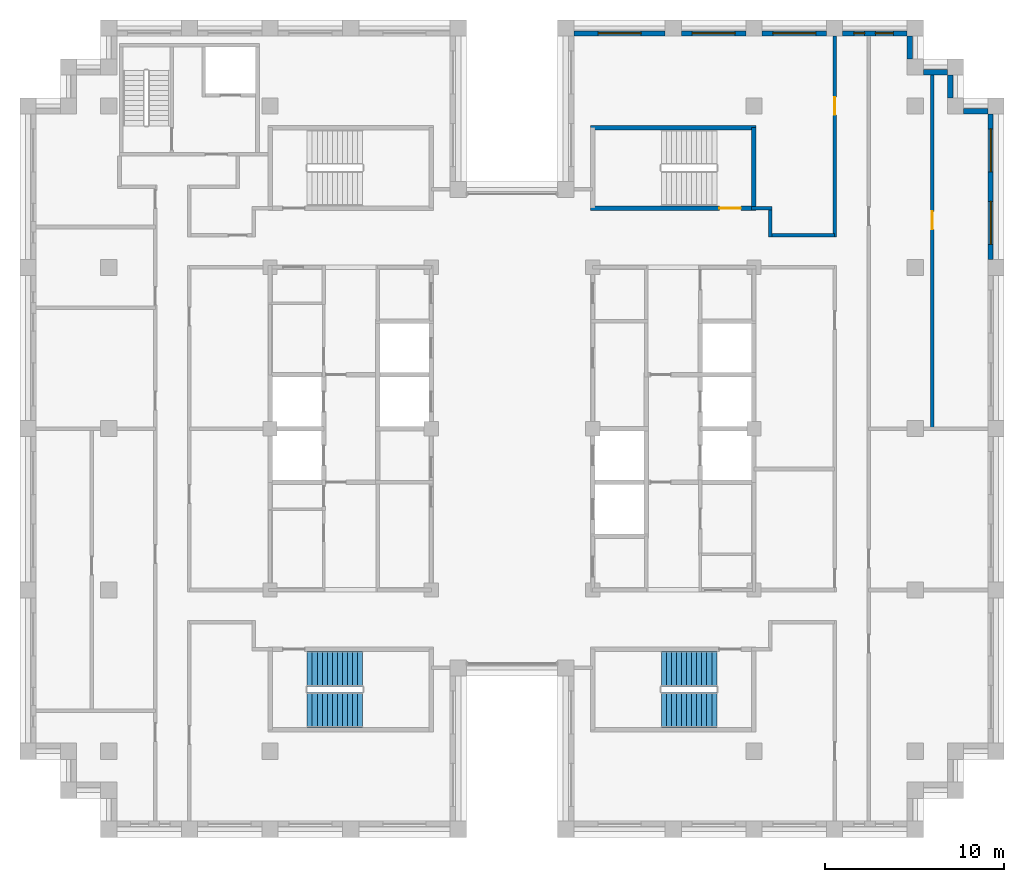
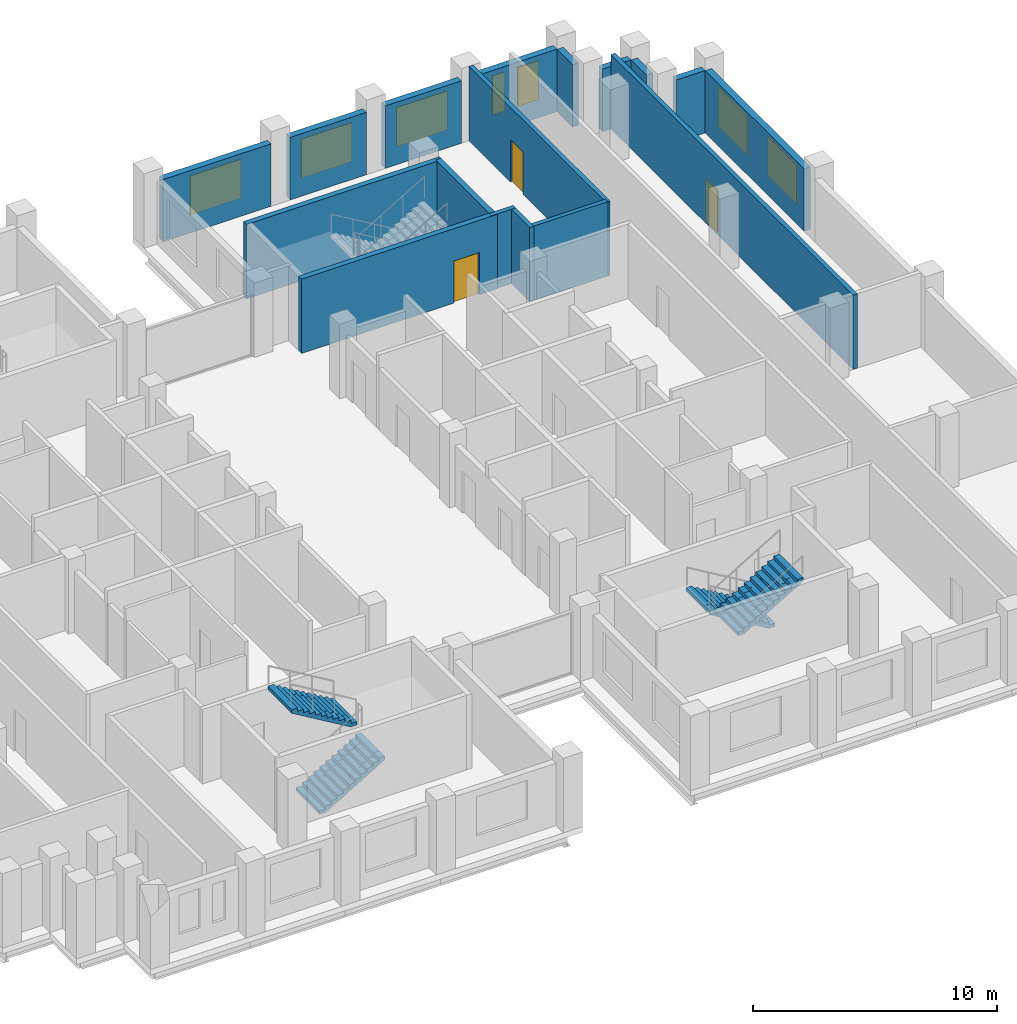
# One storey, part 11 of 13: 17 walls, 7 windows, 4 stair flights, 3 doors, 10 openings, 2 elements without a shape of their own.
"""IFC4 building model written with IfcOpenShell, lengths in metres."""

from ifc_helpers import new_model, si_unit, direction, frame, frame_2d, origin, place, context, subcontext, project, spatial, polyline, rectangle, outline, extrude, material, layer, layer_set, type_object, element, fill, aggregate, save


model = new_model("IFC4")

# Units and contexts
model_context = context("Model", 3, precision=1e-05, world=origin(), true_north=direction((0.0, 1.0)))
body_context = subcontext(model_context, "Body", "Model", "MODEL_VIEW")
ifc_project = project(units=[si_unit("LENGTHUNIT", "METRE"), si_unit("AREAUNIT", "SQUARE_METRE"), si_unit("VOLUMEUNIT", "CUBIC_METRE"), si_unit("PLANEANGLEUNIT", "RADIAN"), si_unit("MASSUNIT", "GRAM", prefix="KILO")], contexts=[model_context])

# Site, building, storey
site_placement = place(None, origin())
site = spatial("IfcSite", under=ifc_project, at=site_placement, CompositionType="ELEMENT")
building_placement = place(site_placement, origin())
building = spatial("IfcBuilding", under=site, at=building_placement, Name="Corbelhall Arena Tower", CompositionType="ELEMENT")
storey_placement = place(building_placement, frame((0.0, 0.0, 266.0)))
storey = spatial("IfcBuildingStorey", under=building, at=storey_placement, Name="L57", CompositionType="ELEMENT", Elevation=266.0)

# Wall, openings, windows
ifc_material_1 = material(Name="Precast concrete C40/50 with granite facing", Category="masonry")
ifc_layer_1 = layer(ifc_material_1, 0.300048828125)
ifc_layer_set_1 = layer_set([ifc_layer_1], Name="EV-IW1 Infill panel 300")
wall_type_1 = type_object("IfcWallType", Name="EV-IW1 Infill panel 300", PredefinedType="SOLIDWALL", material=ifc_layer_set_1)
wall_1_placement = place(storey_placement, frame((26.699951171875, 9.449951171875, 0.0), z_axis=(0.0, 0.0, 1.0), x_axis=(0.0, 1.0, 0.0)))
wall_1 = element("IfcWall", 1, at=wall_1_placement, inside=storey, type_object=wall_type_1, Name="Infill panel IW1", PredefinedType="SOLIDWALL", context=body_context, shape_type="SweptSolid", body=[
    extrude(rectangle(XDim=8.10009765625, YDim=0.300048828125, at=frame_2d((4.050048828125, 0.0))), origin(), (0.0, 0.0, 1.0), 3.1201171875),
])
opening_1_placement = place(wall_1_placement, frame((0.824951171875, 0.0, 0.800048828125)))
opening_1 = element("IfcOpeningElement", 2, at=opening_1_placement, cuts=wall_1, Name="Opening WN1", PredefinedType="OPENING", context=body_context, shape_type="SweptSolid", body=[
    extrude(rectangle(XDim=2.39990234375, YDim=1.949951171875, at=frame_2d((1.199951171875, 0.97509765625))), frame((0.0, 0.14990234375, 0.0), z_axis=(0.0, -1.0, 0.0), x_axis=(1.0, 0.0, 0.0)), (0.0, 0.0, 1.0), 0.300048828125),
])
opening_2_placement = place(wall_1_placement, frame((4.875, 0.0, 0.800048828125)))
opening_2 = element("IfcOpeningElement", 3, at=opening_2_placement, cuts=wall_1, Name="Opening WN1", PredefinedType="OPENING", context=body_context, shape_type="SweptSolid", body=[
    extrude(rectangle(XDim=2.39990234375, YDim=1.949951171875, at=frame_2d((1.199951171875, 0.97509765625))), frame((0.0, 0.14990234375, 0.0), z_axis=(0.0, -1.0, 0.0), x_axis=(1.0, 0.0, 0.0)), (0.0, 0.0, 1.0), 0.300048828125),
])
ifc_material_2 = material(Name="Aluminium black anodised", Category="aluminium")
window_type_1 = type_object("IfcWindowType", Name="EV-WN1 Office window", PartitioningType="SINGLE_PANEL", PredefinedType="WINDOW", material=ifc_material_2)
window_1_placement = place(opening_1_placement, origin())
window_1 = element("IfcWindow", 4, at=window_1_placement, inside=storey, type_object=window_type_1, Name="Window WN1", OverallHeight=1.949951171875, OverallWidth=2.39990234375, PartitioningType="SINGLE_PANEL", PredefinedType="WINDOW", context=body_context, shape_type="SweptSolid", body=[
    extrude(rectangle(XDim=2.39990234375, YDim=1.949951171875, at=frame_2d((1.199951171875, 0.97509765625))), frame((0.0, 0.030029296875, 0.0), z_axis=(0.0, -1.0, 0.0), x_axis=(1.0, 0.0, 0.0)), (0.0, 0.0, 1.0), 0.06005859375),
])
fill(opening_1, window_1)
window_2_placement = place(opening_2_placement, origin())
window_2 = element("IfcWindow", 5, at=window_2_placement, inside=storey, type_object=window_type_1, Name="Window WN1", OverallHeight=1.949951171875, OverallWidth=2.39990234375, PartitioningType="SINGLE_PANEL", PredefinedType="WINDOW", context=body_context, shape_type="SweptSolid", body=[
    extrude(rectangle(XDim=2.39990234375, YDim=1.949951171875, at=frame_2d((1.199951171875, 0.97509765625))), frame((0.0, 0.030029296875, 0.0), z_axis=(0.0, -1.0, 0.0), x_axis=(1.0, 0.0, 0.0)), (0.0, 0.0, 1.0), 0.06005859375),
])
fill(opening_2, window_2)

# Walls
wall_2_placement = place(storey_placement, frame((26.550048828125, 17.699951171875, 0.0), z_axis=(0.0, 0.0, 1.0), x_axis=(-1.0, 0.0, 0.0)))
element("IfcWall", 6, at=wall_2_placement, inside=storey, type_object=wall_type_1, Name="Infill panel IW1", PredefinedType="SOLIDWALL", context=body_context, shape_type="SweptSolid", body=[
    extrude(rectangle(XDim=1.35009765625, YDim=0.300048828125, at=frame_2d((0.675048828125, 0.0))), origin(), (0.0, 0.0, 1.0), 3.1201171875),
])
wall_3_placement = place(storey_placement, frame((24.449951171875, 18.449951171875, 0.0), z_axis=(0.0, 0.0, 1.0), x_axis=(0.0, 1.0, 0.0)))
element("IfcWall", 7, at=wall_3_placement, inside=storey, type_object=wall_type_1, Name="Infill panel IW1", PredefinedType="SOLIDWALL", context=body_context, shape_type="SweptSolid", body=[
    extrude(rectangle(XDim=1.275146484375, YDim=0.300048828125, at=frame_2d((0.6376953125, 0.0))), origin(), (0.0, 0.0, 1.0), 3.1201171875),
])
wall_4_placement = place(storey_placement, frame((24.300048828125, 19.875, 0.0), z_axis=(0.0, 0.0, 1.0), x_axis=(-1.0, 0.0, 0.0)))
element("IfcWall", 8, at=wall_4_placement, inside=storey, type_object=wall_type_1, Name="Infill panel IW1", PredefinedType="SOLIDWALL", context=body_context, shape_type="SweptSolid", body=[
    extrude(rectangle(XDim=1.35009765625, YDim=0.300048828125, at=frame_2d((0.675048828125, 0.0))), origin(), (0.0, 0.0, 1.0), 3.1201171875),
])
wall_5_placement = place(storey_placement, frame((22.199951171875, 20.625, 0.0), z_axis=(0.0, 0.0, 1.0), x_axis=(0.0, 1.0, 0.0)))
element("IfcWall", 9, at=wall_5_placement, inside=storey, type_object=wall_type_1, Name="Infill panel IW1", PredefinedType="SOLIDWALL", context=body_context, shape_type="SweptSolid", body=[
    extrude(rectangle(XDim=1.27490234375, YDim=0.300048828125, at=frame_2d((0.637451171875, 0.0))), origin(), (0.0, 0.0, 1.0), 3.1201171875),
])

# Wall, openings, windows
wall_6_placement = place(storey_placement, frame((22.050048828125, 22.050048828125, 0.0), z_axis=(0.0, 0.0, 1.0), x_axis=(-1.0, 0.0, 0.0)))
wall_6 = element("IfcWall", 10, at=wall_6_placement, inside=storey, type_object=wall_type_1, Name="Infill panel IW1", PredefinedType="SOLIDWALL", context=body_context, shape_type="SweptSolid", body=[
    extrude(rectangle(XDim=3.60009765625, YDim=0.300048828125, at=frame_2d((1.800048828125, 0.0))), origin(), (0.0, 0.0, 1.0), 3.1201171875),
])
opening_3_placement = place(wall_6_placement, frame((0.77490234375, 0.0, 0.800048828125)))
opening_3 = element("IfcOpeningElement", 11, at=opening_3_placement, cuts=wall_6, Name="Opening WN6", PredefinedType="OPENING", context=body_context, shape_type="SweptSolid", body=[
    extrude(rectangle(XDim=1.0, YDim=1.949951171875, at=frame_2d((0.5, 0.97509765625))), frame((0.0, 0.14990234375, 0.0), z_axis=(0.0, -1.0, 0.0), x_axis=(1.0, 0.0, 0.0)), (0.0, 0.0, 1.0), 0.300048828125),
])
opening_4_placement = place(wall_6_placement, frame((2.375, 0.0, 0.800048828125)))
opening_4 = element("IfcOpeningElement", 12, at=opening_4_placement, cuts=wall_6, Name="Opening WN5", PredefinedType="OPENING", context=body_context, shape_type="SweptSolid", body=[
    extrude(rectangle(XDim=0.60009765625, YDim=1.949951171875, at=frame_2d((0.300048828125, 0.97509765625))), frame((0.0, 0.14990234375, 0.0), z_axis=(0.0, -1.0, 0.0), x_axis=(1.0, 0.0, 0.0)), (0.0, 0.0, 1.0), 0.300048828125),
])
window_type_2 = type_object("IfcWindowType", Name="EV-WN5 Office window 600", PartitioningType="SINGLE_PANEL", PredefinedType="WINDOW", material=ifc_material_2)
window_3_placement = place(opening_4_placement, origin())
window_3 = element("IfcWindow", 13, at=window_3_placement, inside=storey, type_object=window_type_2, Name="Window WN5", OverallHeight=1.949951171875, OverallWidth=0.60009765625, PartitioningType="SINGLE_PANEL", PredefinedType="WINDOW", context=body_context, shape_type="SweptSolid", body=[
    extrude(rectangle(XDim=0.60009765625, YDim=1.949951171875, at=frame_2d((0.300048828125, 0.97509765625))), frame((0.0, 0.030029296875, 0.0), z_axis=(0.0, -1.0, 0.0), x_axis=(1.0, 0.0, 0.0)), (0.0, 0.0, 1.0), 0.06005859375),
])
fill(opening_4, window_3)
window_type_3 = type_object("IfcWindowType", Name="EV-WN6 Office window 1000", PartitioningType="SINGLE_PANEL", PredefinedType="WINDOW", material=ifc_material_2)
window_4_placement = place(opening_3_placement, origin())
window_4 = element("IfcWindow", 14, at=window_4_placement, inside=storey, type_object=window_type_3, Name="Window WN6", OverallHeight=1.949951171875, OverallWidth=1.0, PartitioningType="SINGLE_PANEL", PredefinedType="WINDOW", context=body_context, shape_type="SweptSolid", body=[
    extrude(rectangle(XDim=1.0, YDim=1.949951171875, at=frame_2d((0.5, 0.97509765625))), frame((0.0, 0.030029296875, 0.0), z_axis=(0.0, -1.0, 0.0), x_axis=(1.0, 0.0, 0.0)), (0.0, 0.0, 1.0), 0.06005859375),
])
fill(opening_3, window_4)

# Wall, opening, window
wall_7_placement = place(storey_placement, frame((17.550048828125, 22.050048828125, 0.0), z_axis=(0.0, 0.0, 1.0), x_axis=(-1.0, 0.0, 0.0)))
wall_7 = element("IfcWall", 15, at=wall_7_placement, inside=storey, type_object=wall_type_1, Name="Infill panel IW1", PredefinedType="SOLIDWALL", context=body_context, shape_type="SweptSolid", body=[
    extrude(rectangle(XDim=3.60009765625, YDim=0.300048828125, at=frame_2d((1.800048828125, 0.0))), origin(), (0.0, 0.0, 1.0), 3.1201171875),
])
opening_5_placement = place(wall_7_placement, frame((0.60009765625, 0.0, 0.800048828125)))
opening_5 = element("IfcOpeningElement", 16, at=opening_5_placement, cuts=wall_7, Name="Opening WN1", PredefinedType="OPENING", context=body_context, shape_type="SweptSolid", body=[
    extrude(rectangle(XDim=2.39990234375, YDim=1.949951171875, at=frame_2d((1.199951171875, 0.97509765625))), frame((0.0, 0.14990234375, 0.0), z_axis=(0.0, -1.0, 0.0), x_axis=(1.0, 0.0, 0.0)), (0.0, 0.0, 1.0), 0.300048828125),
])
window_5_placement = place(opening_5_placement, origin())
window_5 = element("IfcWindow", 17, at=window_5_placement, inside=storey, type_object=window_type_1, Name="Window WN1", OverallHeight=1.949951171875, OverallWidth=2.39990234375, PartitioningType="SINGLE_PANEL", PredefinedType="WINDOW", context=body_context, shape_type="SweptSolid", body=[
    extrude(rectangle(XDim=2.39990234375, YDim=1.949951171875, at=frame_2d((1.199951171875, 0.97509765625))), frame((0.0, 0.030029296875, 0.0), z_axis=(0.0, -1.0, 0.0), x_axis=(1.0, 0.0, 0.0)), (0.0, 0.0, 1.0), 0.06005859375),
])
fill(opening_5, window_5)

wall_8_placement = place(storey_placement, frame((13.050048828125, 22.050048828125, 0.0), z_axis=(0.0, 0.0, 1.0), x_axis=(-1.0, 0.0, 0.0)))
wall_8 = element("IfcWall", 18, at=wall_8_placement, inside=storey, type_object=wall_type_1, Name="Infill panel IW1", PredefinedType="SOLIDWALL", context=body_context, shape_type="SweptSolid", body=[
    extrude(rectangle(XDim=3.60009765625, YDim=0.300048828125, at=frame_2d((1.800048828125, 0.0))), origin(), (0.0, 0.0, 1.0), 3.1201171875),
])
opening_6_placement = place(wall_8_placement, frame((0.60009765625, 0.0, 0.800048828125)))
opening_6 = element("IfcOpeningElement", 19, at=opening_6_placement, cuts=wall_8, Name="Opening WN1", PredefinedType="OPENING", context=body_context, shape_type="SweptSolid", body=[
    extrude(rectangle(XDim=2.39990234375, YDim=1.949951171875, at=frame_2d((1.199951171875, 0.97509765625))), frame((0.0, 0.14990234375, 0.0), z_axis=(0.0, -1.0, 0.0), x_axis=(1.0, 0.0, 0.0)), (0.0, 0.0, 1.0), 0.300048828125),
])
window_6_placement = place(opening_6_placement, origin())
window_6 = element("IfcWindow", 20, at=window_6_placement, inside=storey, type_object=window_type_1, Name="Window WN1", OverallHeight=1.949951171875, OverallWidth=2.39990234375, PartitioningType="SINGLE_PANEL", PredefinedType="WINDOW", context=body_context, shape_type="SweptSolid", body=[
    extrude(rectangle(XDim=2.39990234375, YDim=1.949951171875, at=frame_2d((1.199951171875, 0.97509765625))), frame((0.0, 0.030029296875, 0.0), z_axis=(0.0, -1.0, 0.0), x_axis=(1.0, 0.0, 0.0)), (0.0, 0.0, 1.0), 0.06005859375),
])
fill(opening_6, window_6)

wall_9_placement = place(storey_placement, frame((8.550048828125, 22.050048828125, 0.0), z_axis=(0.0, 0.0, 1.0), x_axis=(-1.0, 0.0, 0.0)))
wall_9 = element("IfcWall", 21, at=wall_9_placement, inside=storey, type_object=wall_type_1, Name="Infill panel IW1", PredefinedType="SOLIDWALL", context=body_context, shape_type="SweptSolid", body=[
    extrude(rectangle(XDim=5.10009765625, YDim=0.300048828125, at=frame_2d((2.550048828125, 0.0))), origin(), (0.0, 0.0, 1.0), 3.1201171875),
])
opening_7_placement = place(wall_9_placement, frame((1.35009765625, 0.0, 0.800048828125)))
opening_7 = element("IfcOpeningElement", 22, at=opening_7_placement, cuts=wall_9, Name="Opening WN1", PredefinedType="OPENING", context=body_context, shape_type="SweptSolid", body=[
    extrude(rectangle(XDim=2.39990234375, YDim=1.949951171875, at=frame_2d((1.199951171875, 0.97509765625))), frame((0.0, 0.14990234375, 0.0), z_axis=(0.0, -1.0, 0.0), x_axis=(1.0, 0.0, 0.0)), (0.0, 0.0, 1.0), 0.300048828125),
])
window_7_placement = place(opening_7_placement, origin())
window_7 = element("IfcWindow", 23, at=window_7_placement, inside=storey, type_object=window_type_1, Name="Window WN1", OverallHeight=1.949951171875, OverallWidth=2.39990234375, PartitioningType="SINGLE_PANEL", PredefinedType="WINDOW", context=body_context, shape_type="SweptSolid", body=[
    extrude(rectangle(XDim=2.39990234375, YDim=1.949951171875, at=frame_2d((1.199951171875, 0.97509765625))), frame((0.0, 0.030029296875, 0.0), z_axis=(0.0, -1.0, 0.0), x_axis=(1.0, 0.0, 0.0)), (0.0, 0.0, 1.0), 0.06005859375),
])
fill(opening_7, window_7)

# Walls
ifc_material_3 = material(Name="Gypsum board on steel stud, acoustic", Category="steel")
ifc_layer_2 = layer(ifc_material_3, 0.199951171875)
ifc_layer_set_2 = layer_set([ifc_layer_2], Name="IN-W-DM200")
wall_type_2 = type_object("IfcWallType", Name="IN-W-DM200", PredefinedType="PARTITIONING", material=ifc_layer_set_2)
wall_10_placement = place(storey_placement, frame((13.375, 12.300048828125, 0.0), z_axis=(0.0, 0.0, 1.0), x_axis=(1.0, 0.0, 0.0)))
element("IfcWall", 24, at=wall_10_placement, inside=storey, type_object=wall_type_2, Name="Partition 027", PredefinedType="PARTITIONING", context=body_context, shape_type="SweptSolid", body=[
    extrude(rectangle(XDim=1.125, YDim=0.199951171875, at=frame_2d((0.5625, 0.0))), origin(), (0.0, 0.0, 1.0), 3.719970703125),
])
wall_11_placement = place(storey_placement, frame((14.39990234375, 10.800048828125, 0.0), z_axis=(0.0, 0.0, 1.0), x_axis=(1.0, 0.0, 0.0)))
element("IfcWall", 25, at=wall_11_placement, inside=storey, type_object=wall_type_2, Name="Partition 033", PredefinedType="PARTITIONING", context=body_context, shape_type="SweptSolid", body=[
    extrude(rectangle(XDim=3.60009765625, YDim=0.199951171875, at=frame_2d((1.800048828125, 0.0))), origin(), (0.0, 0.0, 1.0), 3.719970703125),
])
wall_12_placement = place(storey_placement, frame((14.39990234375, 12.300048828125, 0.0), z_axis=(0.0, 0.0, 1.0), x_axis=(0.0, -1.0, 0.0)))
element("IfcWall", 26, at=wall_12_placement, inside=storey, type_object=wall_type_2, Name="Partition 034", PredefinedType="PARTITIONING", context=body_context, shape_type="SweptSolid", body=[
    extrude(rectangle(XDim=1.60009765625, YDim=0.199951171875, at=frame_2d((0.800048828125, 0.0))), origin(), (0.0, 0.0, 1.0), 3.719970703125),
])

# Wall, opening, door
wall_13_placement = place(storey_placement, frame((18.0, 10.699951171875, 0.0), z_axis=(0.0, 0.0, 1.0), x_axis=(0.0, 1.0, 0.0)))
wall_13 = element("IfcWall", 27, at=wall_13_placement, inside=storey, type_object=wall_type_2, Name="Partition 038", PredefinedType="PARTITIONING", context=body_context, shape_type="SweptSolid", body=[
    extrude(rectangle(XDim=11.199951171875, YDim=0.199951171875, at=frame_2d((5.60009765625, 0.0))), origin(), (0.0, 0.0, 1.0), 3.719970703125),
])
opening_8_placement = place(wall_13_placement, frame((6.800048828125, 0.0, 0.0)))
opening_8 = element("IfcOpeningElement", 28, at=opening_8_placement, cuts=wall_13, Name="Opening 18027", PredefinedType="OPENING", context=body_context, shape_type="SweptSolid", body=[
    extrude(rectangle(XDim=1.0, YDim=2.10009765625, at=frame_2d((0.5, 1.050048828125))), frame((0.0, 0.10009765625, 0.0), z_axis=(0.0, -1.0, 0.0), x_axis=(1.0, 0.0, 0.0)), (0.0, 0.0, 1.0), 0.199951171875),
])
ifc_material_4 = material(Name="Steel door set", Category="steel")
door_type_1 = type_object("IfcDoorType", Name="IN-D-SW100", OperationType="NOTDEFINED", PredefinedType="DOOR", material=ifc_material_4)
door_1_placement = place(opening_8_placement, origin())
door_1 = element("IfcDoor", 29, at=door_1_placement, inside=storey, type_object=door_type_1, Name="Door 027", OperationType="SINGLE_SWING_RIGHT", OverallHeight=2.10009765625, OverallWidth=1.0, PredefinedType="DOOR", context=body_context, shape_type="SweptSolid", body=[
    extrude(rectangle(XDim=1.0, YDim=2.10009765625, at=frame_2d((0.5, 1.050048828125))), frame((0.0, 0.02490234375, 0.0), z_axis=(0.0, -1.0, 0.0), x_axis=(1.0, 0.0, 0.0)), (0.0, 0.0, 1.0), 0.050048828125),
])
fill(opening_8, door_1)

wall_14_placement = place(storey_placement, frame((23.449951171875, 19.72509765625, 0.0), z_axis=(0.0, 0.0, 1.0), x_axis=(0.0, -1.0, 0.0)))
wall_14 = element("IfcWall", 30, at=wall_14_placement, inside=storey, type_object=wall_type_2, Name="Partition 042", PredefinedType="PARTITIONING", context=body_context, shape_type="SweptSolid", body=[
    extrude(rectangle(XDim=19.8251953125, YDim=0.199951171875, at=frame_2d((9.91259765625, 0.0))), origin(), (0.0, 0.0, 1.0), 3.719970703125),
])
opening_9_placement = place(wall_14_placement, frame((7.60009765625, 0.0, 0.0)))
opening_9 = element("IfcOpeningElement", 31, at=opening_9_placement, cuts=wall_14, Name="Opening 18037", PredefinedType="OPENING", context=body_context, shape_type="SweptSolid", body=[
    extrude(rectangle(XDim=1.0, YDim=2.10009765625, at=frame_2d((0.5, 1.050048828125))), frame((0.0, 0.10009765625, 0.0), z_axis=(0.0, -1.0, 0.0), x_axis=(1.0, 0.0, 0.0)), (0.0, 0.0, 1.0), 0.199951171875),
])
door_2_placement = place(opening_9_placement, origin())
door_2 = element("IfcDoor", 32, at=door_2_placement, inside=storey, type_object=door_type_1, Name="Door 037", OperationType="SINGLE_SWING_RIGHT", OverallHeight=2.10009765625, OverallWidth=1.0, PredefinedType="DOOR", context=body_context, shape_type="SweptSolid", body=[
    extrude(rectangle(XDim=1.0, YDim=2.10009765625, at=frame_2d((0.5, 1.050048828125))), frame((0.0, 0.02490234375, 0.0), z_axis=(0.0, -1.0, 0.0), x_axis=(1.0, 0.0, 0.0)), (0.0, 0.0, 1.0), 0.050048828125),
])
fill(opening_9, door_2)

ifc_material_5 = material(Name="Concrete C40/50", Category="concrete")
ifc_layer_3 = layer(ifc_material_5, 0.25)
ifc_layer_set_3 = layer_set([ifc_layer_3], Name="IN-W-ST250")
wall_type_3 = type_object("IfcWallType", Name="IN-W-ST250", PredefinedType="SOLIDWALL", material=ifc_layer_set_3)
wall_15_placement = place(storey_placement, frame((4.375, 12.300048828125, 0.0), z_axis=(0.0, 0.0, 1.0), x_axis=(1.0, 0.0, 0.0)))
wall_15 = element("IfcWall", 33, at=wall_15_placement, inside=storey, type_object=wall_type_3, Name="Shaft wall 094", PredefinedType="SOLIDWALL", context=body_context, shape_type="SweptSolid", body=[
    extrude(rectangle(XDim=9.25, YDim=0.25, at=frame_2d((4.625, 0.0))), origin(), (0.0, 0.0, 1.0), 3.719970703125),
])
opening_10_placement = place(wall_15_placement, frame((7.199951171875, 0.0, 0.0)))
opening_10 = element("IfcOpeningElement", 34, at=opening_10_placement, cuts=wall_15, Name="Opening 18020", PredefinedType="OPENING", context=body_context, shape_type="SweptSolid", body=[
    extrude(rectangle(XDim=1.199951171875, YDim=2.10009765625, at=frame_2d((0.60009765625, 1.050048828125))), frame((0.0, 0.125, 0.0), z_axis=(0.0, -1.0, 0.0), x_axis=(1.0, 0.0, 0.0)), (0.0, 0.0, 1.0), 0.25),
])
door_type_2 = type_object("IfcDoorType", Name="IN-D-ST120", OperationType="NOTDEFINED", PredefinedType="DOOR", material=ifc_material_4)
door_3_placement = place(opening_10_placement, origin())
door_3 = element("IfcDoor", 35, at=door_3_placement, inside=storey, type_object=door_type_2, Name="Door 020", OperationType="SINGLE_SWING_LEFT", OverallHeight=2.10009765625, OverallWidth=1.199951171875, PredefinedType="DOOR", context=body_context, shape_type="SweptSolid", body=[
    extrude(rectangle(XDim=1.199951171875, YDim=2.10009765625, at=frame_2d((0.60009765625, 1.050048828125))), frame((0.0, 0.02490234375, 0.0), z_axis=(0.0, -1.0, 0.0), x_axis=(1.0, 0.0, 0.0)), (0.0, 0.0, 1.0), 0.050048828125),
])
fill(opening_10, door_3)

# Walls
wall_16_placement = place(storey_placement, frame((4.375, 16.800048828125, 0.0), z_axis=(0.0, 0.0, 1.0), x_axis=(1.0, 0.0, 0.0)))
element("IfcWall", 36, at=wall_16_placement, inside=storey, type_object=wall_type_3, Name="Shaft wall 095", PredefinedType="SOLIDWALL", context=body_context, shape_type="SweptSolid", body=[
    extrude(rectangle(XDim=9.25, YDim=0.25, at=frame_2d((4.625, 0.0))), origin(), (0.0, 0.0, 1.0), 3.719970703125),
])
wall_17_placement = place(storey_placement, frame((13.5, 16.800048828125, 0.0), z_axis=(0.0, 0.0, 1.0), x_axis=(0.0, -1.0, 0.0)))
element("IfcWall", 37, at=wall_17_placement, inside=storey, type_object=wall_type_3, Name="Shaft wall 100", PredefinedType="SOLIDWALL", context=body_context, shape_type="SweptSolid", body=[
    extrude(rectangle(XDim=4.5, YDim=0.25, at=frame_2d((2.25, 0.0))), origin(), (0.0, 0.0, 1.0), 3.719970703125),
])

# Stair, stair flights
stair_type = type_object("IfcStairType", Name="IN-ST-TOWER", PredefinedType="HALF_TURN_STAIR", material=ifc_material_5)
stair_1_placement = place(storey_placement, origin())
stair_1 = element("IfcStair", 38, at=stair_1_placement, inside=storey, type_object=stair_type, Name="L57 Exit stair ST2", PredefinedType="HALF_TURN_STAIR")
stair_flight_type = type_object("IfcStairFlightType", Name="IN-SFL-RC", PredefinedType="STRAIGHT", material=ifc_material_5)
stair_flight_1_placement = place(storey_placement, frame((-11.425048828125, -15.699951171875, 0.0), z_axis=(0.0, 0.0, 1.0), x_axis=(1.0, 0.0, 0.0)))
stair_flight_1 = element("IfcStairFlight", 39, at=stair_flight_1_placement, type_object=stair_flight_type, Name="ST2 flight 1", NumberOfRisers=12, NumberOfTreads=11, PredefinedType="STRAIGHT", RiserHeight=0.166666667, TreadLength=0.28, context=body_context, shape_type="SweptSolid", body=[
    extrude(outline(polyline([(0.0, 0.0), (0.0, 0.166748046875), (0.280029296875, 0.166748046875), (0.280029296875, 0.333251953125), (0.56005859375, 0.333251953125), (0.56005859375, 0.5), (0.840087890625, 0.5), (0.840087890625, 0.666748046875), (1.1201171875, 0.666748046875), (1.1201171875, 0.833251953125), (1.39990234375, 0.833251953125), (1.39990234375, 1.0), (1.679931640625, 1.0), (1.679931640625, 1.166748046875), (1.9599609375, 1.166748046875), (1.9599609375, 1.333251953125), (2.239990234375, 1.333251953125), (2.239990234375, 1.5), (2.52001953125, 1.5), (2.52001953125, 1.666748046875), (2.800048828125, 1.666748046875), (2.800048828125, 1.833251953125), (3.080078125, 1.833251953125), (3.080078125, 2.0), (3.080078125, 1.658935546875), (0.29296875, 0.0), (0.0, 0.0)])), frame((0.0, 0.97509765625, 0.0), z_axis=(0.0, -1.0, 0.0), x_axis=(1.0, 0.0, 0.0)), (0.0, 0.0, 1.0), 0.449951171875),
    extrude(outline(polyline([(0.0, 0.0), (0.0, 0.166748046875), (0.280029296875, 0.166748046875), (0.280029296875, 0.333251953125), (0.56005859375, 0.333251953125), (0.56005859375, 0.5), (0.840087890625, 0.5), (0.840087890625, 0.666748046875), (1.1201171875, 0.666748046875), (1.1201171875, 0.833251953125), (1.39990234375, 0.833251953125), (1.39990234375, 1.0), (1.679931640625, 1.0), (1.679931640625, 1.166748046875), (1.9599609375, 1.166748046875), (1.9599609375, 1.333251953125), (2.239990234375, 1.333251953125), (2.239990234375, 1.5), (2.52001953125, 1.5), (2.52001953125, 1.666748046875), (2.800048828125, 1.666748046875), (2.800048828125, 1.833251953125), (3.080078125, 1.833251953125), (3.080078125, 2.0), (3.080078125, 1.658935546875), (0.29296875, 0.0), (0.0, 0.0)])), frame((0.0, 0.52099609375, 0.0), z_axis=(0.0, -1.0, 0.0), x_axis=(1.0, 0.0, 0.0)), (0.0, 0.0, 1.0), 1.0419921875),
    extrude(outline(polyline([(0.0, 0.0), (0.0, 0.166748046875), (0.280029296875, 0.166748046875), (0.280029296875, 0.333251953125), (0.56005859375, 0.333251953125), (0.56005859375, 0.5), (0.840087890625, 0.5), (0.840087890625, 0.666748046875), (1.1201171875, 0.666748046875), (1.1201171875, 0.833251953125), (1.39990234375, 0.833251953125), (1.39990234375, 1.0), (1.679931640625, 1.0), (1.679931640625, 1.166748046875), (1.9599609375, 1.166748046875), (1.9599609375, 1.333251953125), (2.239990234375, 1.333251953125), (2.239990234375, 1.5), (2.52001953125, 1.5), (2.52001953125, 1.666748046875), (2.800048828125, 1.666748046875), (2.800048828125, 1.833251953125), (3.080078125, 1.833251953125), (3.080078125, 2.0), (3.080078125, 1.658935546875), (0.29296875, 0.0), (0.0, 0.0)])), frame((0.0, -0.52490234375, 0.0), z_axis=(0.0, -1.0, 0.0), x_axis=(1.0, 0.0, 0.0)), (0.0, 0.0, 1.0), 0.449951171875),
])
stair_flight_2_placement = place(storey_placement, frame((-8.344970703125, -13.39990234375, 2.0), z_axis=(0.0, 0.0, 1.0), x_axis=(-1.0, 0.0, 0.0)))
stair_flight_2 = element("IfcStairFlight", 40, at=stair_flight_2_placement, type_object=stair_flight_type, Name="ST2 flight 2", NumberOfRisers=12, NumberOfTreads=11, PredefinedType="STRAIGHT", RiserHeight=0.166666667, TreadLength=0.28, context=body_context, shape_type="SweptSolid", body=[
    extrude(outline(polyline([(0.0, 0.0), (0.0, 0.166748046875), (0.280029296875, 0.166748046875), (0.280029296875, 0.333251953125), (0.56005859375, 0.333251953125), (0.56005859375, 0.5), (0.840087890625, 0.5), (0.840087890625, 0.666748046875), (1.1201171875, 0.666748046875), (1.1201171875, 0.833251953125), (1.39990234375, 0.833251953125), (1.39990234375, 1.0), (1.679931640625, 1.0), (1.679931640625, 1.166748046875), (1.9599609375, 1.166748046875), (1.9599609375, 1.333251953125), (2.239990234375, 1.333251953125), (2.239990234375, 1.5), (2.52001953125, 1.5), (2.52001953125, 1.666748046875), (2.800048828125, 1.666748046875), (2.800048828125, 1.833251953125), (3.080078125, 1.833251953125), (3.080078125, 2.0), (3.080078125, 1.658935546875), (0.29296875, 0.0), (0.0, 0.0)])), frame((0.0, 0.97509765625, 0.0), z_axis=(0.0, -1.0, 0.0), x_axis=(1.0, 0.0, 0.0)), (0.0, 0.0, 1.0), 0.449951171875),
    extrude(outline(polyline([(0.0, 0.0), (0.0, 0.166748046875), (0.280029296875, 0.166748046875), (0.280029296875, 0.333251953125), (0.56005859375, 0.333251953125), (0.56005859375, 0.5), (0.840087890625, 0.5), (0.840087890625, 0.666748046875), (1.1201171875, 0.666748046875), (1.1201171875, 0.833251953125), (1.39990234375, 0.833251953125), (1.39990234375, 1.0), (1.679931640625, 1.0), (1.679931640625, 1.166748046875), (1.9599609375, 1.166748046875), (1.9599609375, 1.333251953125), (2.239990234375, 1.333251953125), (2.239990234375, 1.5), (2.52001953125, 1.5), (2.52001953125, 1.666748046875), (2.800048828125, 1.666748046875), (2.800048828125, 1.833251953125), (3.080078125, 1.833251953125), (3.080078125, 2.0), (3.080078125, 1.658935546875), (0.29296875, 0.0), (0.0, 0.0)])), frame((0.0, 0.52099609375, 0.0), z_axis=(0.0, -1.0, 0.0), x_axis=(1.0, 0.0, 0.0)), (0.0, 0.0, 1.0), 1.0419921875),
    extrude(outline(polyline([(0.0, 0.0), (0.0, 0.166748046875), (0.280029296875, 0.166748046875), (0.280029296875, 0.333251953125), (0.56005859375, 0.333251953125), (0.56005859375, 0.5), (0.840087890625, 0.5), (0.840087890625, 0.666748046875), (1.1201171875, 0.666748046875), (1.1201171875, 0.833251953125), (1.39990234375, 0.833251953125), (1.39990234375, 1.0), (1.679931640625, 1.0), (1.679931640625, 1.166748046875), (1.9599609375, 1.166748046875), (1.9599609375, 1.333251953125), (2.239990234375, 1.333251953125), (2.239990234375, 1.5), (2.52001953125, 1.5), (2.52001953125, 1.666748046875), (2.800048828125, 1.666748046875), (2.800048828125, 1.833251953125), (3.080078125, 1.833251953125), (3.080078125, 2.0), (3.080078125, 1.658935546875), (0.29296875, 0.0), (0.0, 0.0)])), frame((0.0, -0.52490234375, 0.0), z_axis=(0.0, -1.0, 0.0), x_axis=(1.0, 0.0, 0.0)), (0.0, 0.0, 1.0), 0.449951171875),
])
aggregate(stair_1, [stair_flight_1, stair_flight_2])

stair_2_placement = place(storey_placement, origin())
stair_2 = element("IfcStair", 41, at=stair_2_placement, inside=storey, type_object=stair_type, Name="L57 Exit stair ST4", PredefinedType="HALF_TURN_STAIR")
stair_flight_3_placement = place(storey_placement, frame((11.425048828125, -13.39990234375, 0.0), z_axis=(0.0, 0.0, 1.0), x_axis=(-1.0, 0.0, 0.0)))
stair_flight_3 = element("IfcStairFlight", 42, at=stair_flight_3_placement, type_object=stair_flight_type, Name="ST4 flight 1", NumberOfRisers=12, NumberOfTreads=11, PredefinedType="STRAIGHT", RiserHeight=0.166666667, TreadLength=0.28, context=body_context, shape_type="SweptSolid", body=[
    extrude(outline(polyline([(0.0, 0.0), (0.0, 0.166748046875), (0.280029296875, 0.166748046875), (0.280029296875, 0.333251953125), (0.56005859375, 0.333251953125), (0.56005859375, 0.5), (0.840087890625, 0.5), (0.840087890625, 0.666748046875), (1.1201171875, 0.666748046875), (1.1201171875, 0.833251953125), (1.39990234375, 0.833251953125), (1.39990234375, 1.0), (1.679931640625, 1.0), (1.679931640625, 1.166748046875), (1.9599609375, 1.166748046875), (1.9599609375, 1.333251953125), (2.239990234375, 1.333251953125), (2.239990234375, 1.5), (2.52001953125, 1.5), (2.52001953125, 1.666748046875), (2.800048828125, 1.666748046875), (2.800048828125, 1.833251953125), (3.080078125, 1.833251953125), (3.080078125, 2.0), (3.080078125, 1.658935546875), (0.29296875, 0.0), (0.0, 0.0)])), frame((0.0, 0.97509765625, 0.0), z_axis=(0.0, -1.0, 0.0), x_axis=(1.0, 0.0, 0.0)), (0.0, 0.0, 1.0), 0.449951171875),
    extrude(outline(polyline([(0.0, 0.0), (0.0, 0.166748046875), (0.280029296875, 0.166748046875), (0.280029296875, 0.333251953125), (0.56005859375, 0.333251953125), (0.56005859375, 0.5), (0.840087890625, 0.5), (0.840087890625, 0.666748046875), (1.1201171875, 0.666748046875), (1.1201171875, 0.833251953125), (1.39990234375, 0.833251953125), (1.39990234375, 1.0), (1.679931640625, 1.0), (1.679931640625, 1.166748046875), (1.9599609375, 1.166748046875), (1.9599609375, 1.333251953125), (2.239990234375, 1.333251953125), (2.239990234375, 1.5), (2.52001953125, 1.5), (2.52001953125, 1.666748046875), (2.800048828125, 1.666748046875), (2.800048828125, 1.833251953125), (3.080078125, 1.833251953125), (3.080078125, 2.0), (3.080078125, 1.658935546875), (0.29296875, 0.0), (0.0, 0.0)])), frame((0.0, 0.52099609375, 0.0), z_axis=(0.0, -1.0, 0.0), x_axis=(1.0, 0.0, 0.0)), (0.0, 0.0, 1.0), 1.0419921875),
    extrude(outline(polyline([(0.0, 0.0), (0.0, 0.166748046875), (0.280029296875, 0.166748046875), (0.280029296875, 0.333251953125), (0.56005859375, 0.333251953125), (0.56005859375, 0.5), (0.840087890625, 0.5), (0.840087890625, 0.666748046875), (1.1201171875, 0.666748046875), (1.1201171875, 0.833251953125), (1.39990234375, 0.833251953125), (1.39990234375, 1.0), (1.679931640625, 1.0), (1.679931640625, 1.166748046875), (1.9599609375, 1.166748046875), (1.9599609375, 1.333251953125), (2.239990234375, 1.333251953125), (2.239990234375, 1.5), (2.52001953125, 1.5), (2.52001953125, 1.666748046875), (2.800048828125, 1.666748046875), (2.800048828125, 1.833251953125), (3.080078125, 1.833251953125), (3.080078125, 2.0), (3.080078125, 1.658935546875), (0.29296875, 0.0), (0.0, 0.0)])), frame((0.0, -0.52490234375, 0.0), z_axis=(0.0, -1.0, 0.0), x_axis=(1.0, 0.0, 0.0)), (0.0, 0.0, 1.0), 0.449951171875),
])
stair_flight_4_placement = place(storey_placement, frame((8.344970703125, -15.699951171875, 2.0), z_axis=(0.0, 0.0, 1.0), x_axis=(1.0, 0.0, 0.0)))
stair_flight_4 = element("IfcStairFlight", 43, at=stair_flight_4_placement, type_object=stair_flight_type, Name="ST4 flight 2", NumberOfRisers=12, NumberOfTreads=11, PredefinedType="STRAIGHT", RiserHeight=0.166666667, TreadLength=0.28, context=body_context, shape_type="SweptSolid", body=[
    extrude(outline(polyline([(0.0, 0.0), (0.0, 0.166748046875), (0.280029296875, 0.166748046875), (0.280029296875, 0.333251953125), (0.56005859375, 0.333251953125), (0.56005859375, 0.5), (0.840087890625, 0.5), (0.840087890625, 0.666748046875), (1.1201171875, 0.666748046875), (1.1201171875, 0.833251953125), (1.39990234375, 0.833251953125), (1.39990234375, 1.0), (1.679931640625, 1.0), (1.679931640625, 1.166748046875), (1.9599609375, 1.166748046875), (1.9599609375, 1.333251953125), (2.239990234375, 1.333251953125), (2.239990234375, 1.5), (2.52001953125, 1.5), (2.52001953125, 1.666748046875), (2.800048828125, 1.666748046875), (2.800048828125, 1.833251953125), (3.080078125, 1.833251953125), (3.080078125, 2.0), (3.080078125, 1.658935546875), (0.29296875, 0.0), (0.0, 0.0)])), frame((0.0, 0.97509765625, 0.0), z_axis=(0.0, -1.0, 0.0), x_axis=(1.0, 0.0, 0.0)), (0.0, 0.0, 1.0), 0.449951171875),
    extrude(outline(polyline([(0.0, 0.0), (0.0, 0.166748046875), (0.280029296875, 0.166748046875), (0.280029296875, 0.333251953125), (0.56005859375, 0.333251953125), (0.56005859375, 0.5), (0.840087890625, 0.5), (0.840087890625, 0.666748046875), (1.1201171875, 0.666748046875), (1.1201171875, 0.833251953125), (1.39990234375, 0.833251953125), (1.39990234375, 1.0), (1.679931640625, 1.0), (1.679931640625, 1.166748046875), (1.9599609375, 1.166748046875), (1.9599609375, 1.333251953125), (2.239990234375, 1.333251953125), (2.239990234375, 1.5), (2.52001953125, 1.5), (2.52001953125, 1.666748046875), (2.800048828125, 1.666748046875), (2.800048828125, 1.833251953125), (3.080078125, 1.833251953125), (3.080078125, 2.0), (3.080078125, 1.658935546875), (0.29296875, 0.0), (0.0, 0.0)])), frame((0.0, 0.52099609375, 0.0), z_axis=(0.0, -1.0, 0.0), x_axis=(1.0, 0.0, 0.0)), (0.0, 0.0, 1.0), 1.0419921875),
    extrude(outline(polyline([(0.0, 0.0), (0.0, 0.166748046875), (0.280029296875, 0.166748046875), (0.280029296875, 0.333251953125), (0.56005859375, 0.333251953125), (0.56005859375, 0.5), (0.840087890625, 0.5), (0.840087890625, 0.666748046875), (1.1201171875, 0.666748046875), (1.1201171875, 0.833251953125), (1.39990234375, 0.833251953125), (1.39990234375, 1.0), (1.679931640625, 1.0), (1.679931640625, 1.166748046875), (1.9599609375, 1.166748046875), (1.9599609375, 1.333251953125), (2.239990234375, 1.333251953125), (2.239990234375, 1.5), (2.52001953125, 1.5), (2.52001953125, 1.666748046875), (2.800048828125, 1.666748046875), (2.800048828125, 1.833251953125), (3.080078125, 1.833251953125), (3.080078125, 2.0), (3.080078125, 1.658935546875), (0.29296875, 0.0), (0.0, 0.0)])), frame((0.0, -0.52490234375, 0.0), z_axis=(0.0, -1.0, 0.0), x_axis=(1.0, 0.0, 0.0)), (0.0, 0.0, 1.0), 0.449951171875),
])
aggregate(stair_2, [stair_flight_3, stair_flight_4])

save(model, "model.ifc")
